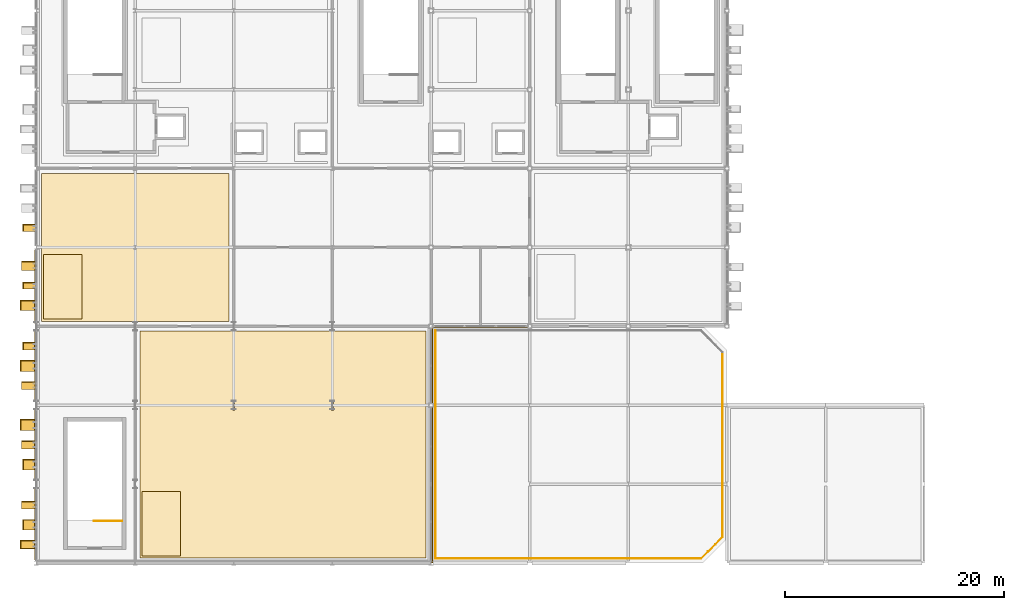
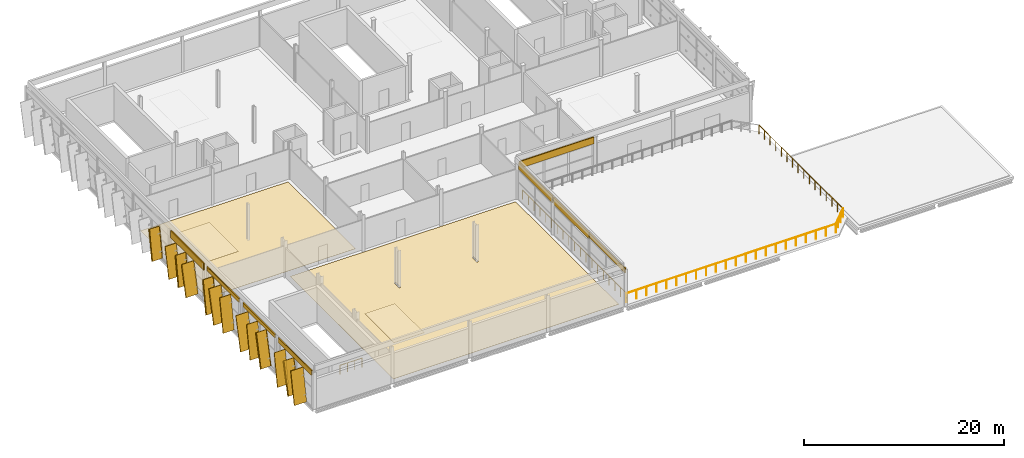
# One storey, part 50 of 52: 25 coverings, 13 shading devices, 5 railings.
"""IFC4 building model written with IfcOpenShell, lengths in metres."""

from ifc_helpers import new_model, si_unit, direction, frame, origin, origin_2d, place, context, subcontext, project, spatial, polyline, rectangle, circle, outline, extrude, material, layer, layer_set, material_profile, profile_set, type_object, element, save


model = new_model("IFC4")

# Units and contexts
model_context = context("Model", 3, precision=1e-05, world=origin(), true_north=direction((0.0, 1.0)))
body_context = subcontext(model_context, "Body", "Model", "MODEL_VIEW")
ifc_project = project(units=[si_unit("LENGTHUNIT", "METRE"), si_unit("AREAUNIT", "SQUARE_METRE"), si_unit("VOLUMEUNIT", "CUBIC_METRE"), si_unit("PLANEANGLEUNIT", "RADIAN"), si_unit("MASSUNIT", "GRAM", prefix="KILO")], contexts=[model_context])

# Site, building, storey
site_placement = place(None, origin())
site = spatial("IfcSite", under=ifc_project, at=site_placement, CompositionType="ELEMENT")
building_placement = place(site_placement, origin())
building = spatial("IfcBuilding", under=site, at=building_placement, Name="Celestram Park Convention Centre", CompositionType="ELEMENT")
storey_placement = place(building_placement, frame((0.0, 0.0, 24.300048828125)))
storey = spatial("IfcBuildingStorey", under=building, at=storey_placement, Name="L05", CompositionType="ELEMENT", Elevation=24.300048828125)

# Coverings
ifc_material_1 = material(Name="Anodised Bronze Aluminium Spandrel Cladding", Category="aluminium")
ifc_layer_1 = layer(ifc_material_1, 0.050048828125)
ifc_layer_set_1 = layer_set([ifc_layer_1], Name="Anodised Bronze Aluminium Spandrel Cladding")
covering_type_1 = type_object("IfcCoveringType", Name="ARC-COV-CLD060", PredefinedType="CLADDING", material=ifc_layer_set_1)
covering_1_placement = place(storey_placement, frame((35.919921875, 111.60009765625, 3.923828125), z_axis=(0.0, 0.0, 1.0), x_axis=(0.0, 1.0, 0.0)))
element("IfcCovering", 1, at=covering_1_placement, inside=storey, type_object=covering_type_1, Name="Bronze spandrel cladding CL-L05-243", PredefinedType="CLADDING", context=body_context, shape_type="SweptSolid", body=[
    extrude(rectangle(XDim=6.631591796875, YDim=0.1201171875, at=origin_2d()), origin(), (0.0, 0.0, 1.0), 0.575927734375),
])
for number, where, z_axis, x_axis, name in (
    (2, (35.919921875, 118.800048828125, 4.02978515625), (0.0, 0.0, 1.0), (0.0, 1.0, 0.0), "Bronze spandrel cladding CL-L05-244"),
    (3, (35.919921875, 126.0, 4.02978515625), (0.0, 0.0, 1.0), (0.0, 1.0, 0.0), "Bronze spandrel cladding CL-L05-245"),
):
    element("IfcCovering", number, at=place(storey_placement, frame(where, z_axis=z_axis, x_axis=x_axis)), inside=storey, type_object=covering_type_1, Name=name, PredefinedType="CLADDING", context=body_context, shape_type="SweptSolid", body=[
        extrude(rectangle(XDim=6.431884765625, YDim=0.1201171875, at=origin_2d()), origin(), (0.0, 0.0, 1.0), 0.469970703125),
    ])
covering_2_placement = place(storey_placement, frame((35.919921875, 133.199951171875, 3.66796875), z_axis=(0.0, 0.0, 1.0), x_axis=(0.0, 1.0, 0.0)))
element("IfcCovering", 4, at=covering_2_placement, inside=storey, type_object=covering_type_1, Name="Bronze spandrel cladding CL-L05-246", PredefinedType="CLADDING", context=body_context, shape_type="SweptSolid", body=[
    extrude(rectangle(XDim=6.66455078125, YDim=0.1201171875, at=origin_2d()), origin(), (0.0, 0.0, 1.0), 0.83203125),
])
covering_3_placement = place(storey_placement, frame((76.5, 129.52001953125, 3.66796875), z_axis=(0.0, 0.0, 1.0), x_axis=(-1.0, 0.0, 0.0)))
element("IfcCovering", 5, at=covering_3_placement, inside=storey, type_object=covering_type_1, Name="Bronze spandrel cladding CL-L05-256", PredefinedType="CLADDING", context=body_context, shape_type="SweptSolid", body=[
    extrude(rectangle(XDim=8.60205078125, YDim=0.1201171875, at=origin_2d()), origin(), (0.0, 0.0, 1.0), 0.83203125),
])
covering_4_placement = place(storey_placement, frame((72.080078125, 126.0, 3.66796875), z_axis=(0.0, 0.0, 1.0), x_axis=(0.0, -1.0, 0.0)))
element("IfcCovering", 6, at=covering_4_placement, inside=storey, type_object=covering_type_1, Name="Bronze spandrel cladding CL-L05-257", PredefinedType="CLADDING", context=body_context, shape_type="SweptSolid", body=[
    extrude(rectangle(XDim=6.802001953125, YDim=0.1201171875, at=origin_2d()), origin(), (0.0, 0.0, 1.0), 0.83203125),
])
covering_5_placement = place(storey_placement, frame((72.080078125, 118.800048828125, 3.66796875), z_axis=(0.0, 0.0, 1.0), x_axis=(0.0, -1.0, 0.0)))
element("IfcCovering", 7, at=covering_5_placement, inside=storey, type_object=covering_type_1, Name="Bronze spandrel cladding CL-L05-258", PredefinedType="CLADDING", context=body_context, shape_type="SweptSolid", body=[
    extrude(rectangle(XDim=7.131103515625, YDim=0.1201171875, at=origin_2d()), origin(), (0.0, 0.0, 1.0), 0.83203125),
])
covering_6_placement = place(storey_placement, frame((72.080078125, 111.60009765625, 3.923828125), z_axis=(0.0, 0.0, 1.0), x_axis=(0.0, -1.0, 0.0)))
element("IfcCovering", 8, at=covering_6_placement, inside=storey, type_object=covering_type_1, Name="Bronze spandrel cladding CL-L05-259", PredefinedType="CLADDING", context=body_context, shape_type="SweptSolid", body=[
    extrude(rectangle(XDim=7.1455078125, YDim=0.1201171875, at=origin_2d()), origin(), (0.0, 0.0, 1.0), 0.575927734375),
])
ifc_material_2 = material(Name="Perforated Acoustic Mineral-Fibre Baffle Ceiling", Category="gypsum")
ifc_layer_2 = layer(ifc_material_2, 0.0400390625)
ifc_layer_set_2 = layer_set([ifc_layer_2], Name="Perforated Acoustic Mineral-Fibre Baffle Ceiling")
covering_type_2 = type_object("IfcCoveringType", Name="ARC-COV-CLG040", PredefinedType="CEILING", material=ifc_layer_set_2)
covering_7_placement = place(storey_placement, frame((0.0, 0.0, 4.219970703125)))
element("IfcCovering", 9, at=covering_7_placement, inside=storey, type_object=covering_type_2, Name="Crown Speaker Lounge acoustic baffle ceiling", PredefinedType="CEILING", context=body_context, shape_type="SweptSolid", body=[
    extrude(outline(polyline([(45.64990234375, 108.64990234375), (49.14990234375, 108.64990234375), (49.14990234375, 114.550048828125), (45.64990234375, 114.550048828125), (45.64990234375, 108.64990234375)])), origin(), (0.0, 0.0, 1.0), 0.0400390625),
])
covering_8_placement = place(storey_placement, frame((0.0, 0.0, 4.219970703125)))
element("IfcCovering", 10, at=covering_8_placement, inside=storey, type_object=covering_type_2, Name="Lake Michigan Horizon Dining Salon acoustic baffle ceiling", PredefinedType="CEILING", context=body_context, shape_type="SweptSolid", body=[
    extrude(outline(polyline([(36.64990234375, 130.25), (40.14990234375, 130.25), (40.14990234375, 136.14990234375), (36.64990234375, 136.14990234375), (36.64990234375, 130.25)])), origin(), (0.0, 0.0, 1.0), 0.0400390625),
])
ifc_material_3 = material(Name="Timber-Toned Anodised Aluminium Alloy 6063-T6", Category="wood")
ifc_material_profile_1 = material_profile(ifc_material_3, rectangle(XDim=1.1201171875, YDim=0.090087890625, at=origin_2d()), Name="REED1120X90")
ifc_profile_set_1 = profile_set([ifc_material_profile_1], Name="Timber-Toned Anodised Aluminium Alloy 6063-T6")
covering_type_3 = type_object("IfcCoveringType", Name="ARC-COV-FIN1120", PredefinedType="CLADDING", material=ifc_profile_set_1)
covering_9_placement = place(storey_placement, frame((35.360107421875, 111.049072265625, 0.057861328125), z_axis=(0.0, 0.231722237908, 0.972781992257), x_axis=(-1.0, 0.0, 0.0)))
element("IfcCovering", 11, at=covering_9_placement, inside=storey, type_object=covering_type_3, Name="Leaning timber-toned reed fin RFN-L05-0760", PredefinedType="CLADDING", context=body_context, shape_type="SweptSolid", body=[
    extrude(rectangle(XDim=1.1201171875, YDim=0.090087890625, at=origin_2d()), origin(), (0.0, 0.0, 1.0), 3.89404296875),
])
for number, where, z_axis, x_axis, name in (
    (12, (35.360107421875, 116.53662109375, 0.059326171875), (0.0, 0.231692040774, 0.972789184892), (-1.0, 0.0, 0.0), "Leaning timber-toned reed fin RFN-L05-0762"),
    (13, (35.360107421875, 127.480224609375, 0.03076171875), (0.0, 0.159913636523, 0.987131008962), (-1.0, 0.0, 0.0), "Leaning timber-toned reed fin RFN-L05-0767"),
):
    element("IfcCovering", number, at=place(storey_placement, frame(where, z_axis=z_axis, x_axis=x_axis)), inside=storey, type_object=covering_type_3, Name=name, PredefinedType="CLADDING", context=body_context, shape_type="SweptSolid", body=[
        extrude(rectangle(XDim=1.1201171875, YDim=0.090087890625, at=origin_2d()), origin(), (0.0, 0.0, 1.0), 4.0),
    ])
for number, where, z_axis, x_axis, name in (
    (14, (35.360107421875, 133.025390625, 0.0283203125), (0.0, 0.159913875069, 0.987130970318), (-1.0, 0.0, 0.0), "Leaning timber-toned reed fin RFN-L05-0769"),
    (15, (35.360107421875, 138.30908203125, 0.0283203125), (0.0, 0.159913875069, 0.987130970318), (-1.0, 0.0, 0.0), "Leaning timber-toned reed fin RFN-L05-0771"),
):
    element("IfcCovering", number, at=place(storey_placement, frame(where, z_axis=z_axis, x_axis=x_axis)), inside=storey, type_object=covering_type_3, Name=name, PredefinedType="CLADDING", context=body_context, shape_type="SweptSolid", body=[
        extrude(rectangle(XDim=1.1201171875, YDim=0.090087890625, at=origin_2d()), origin(), (0.0, 0.0, 1.0), 3.63818359375),
    ])
ifc_material_profile_2 = material_profile(ifc_material_3, rectangle(XDim=1.280029296875, YDim=0.090087890625, at=origin_2d()), Name="REED1280X90")
ifc_profile_set_2 = profile_set([ifc_material_profile_2], Name="Timber-Toned Anodised Aluminium Alloy 6063-T6")
covering_type_4 = type_object("IfcCoveringType", Name="ARC-COV-FIN1280", PredefinedType="CLADDING", material=ifc_profile_set_2)
covering_10_placement = place(storey_placement, frame((35.280029296875, 112.968994140625, 0.033447265625), z_axis=(0.0, 0.170160958731, 0.985416281641), x_axis=(-1.0, 0.0, 0.0)))
element("IfcCovering", 16, at=covering_10_placement, inside=storey, type_object=covering_type_4, Name="Leaning timber-toned reed fin RFN-L05-0761", PredefinedType="CLADDING", context=body_context, shape_type="SweptSolid", body=[
    extrude(rectangle(XDim=1.280029296875, YDim=0.090087890625, at=origin_2d()), origin(), (0.0, 0.0, 1.0), 3.89404296875),
])
for number, where, z_axis, x_axis, name in (
    (17, (35.280029296875, 118.459716796875, 0.0341796875), (0.0, 0.170166486945, 0.985415327017), (-1.0, 0.0, 0.0), "Leaning timber-toned reed fin RFN-L05-0763"),
    (18, (35.280029296875, 123.859619140625, 0.0341796875), (0.0, 0.170166486945, 0.985415327017), (-1.0, 0.0, 0.0), "Leaning timber-toned reed fin RFN-L05-0765"),
):
    element("IfcCovering", number, at=place(storey_placement, frame(where, z_axis=z_axis, x_axis=x_axis)), inside=storey, type_object=covering_type_4, Name=name, PredefinedType="CLADDING", context=body_context, shape_type="SweptSolid", body=[
        extrude(rectangle(XDim=1.280029296875, YDim=0.090087890625, at=origin_2d()), origin(), (0.0, 0.0, 1.0), 4.0),
    ])
covering_11_placement = place(storey_placement, frame((35.280029296875, 134.735107421875, 0.04541015625), z_axis=(0.0, 0.209584085746, 0.977790627385), x_axis=(-1.0, 0.0, 0.0)))
element("IfcCovering", 19, at=covering_11_placement, inside=storey, type_object=covering_type_4, Name="Leaning timber-toned reed fin RFN-L05-0770", PredefinedType="CLADDING", context=body_context, shape_type="SweptSolid", body=[
    extrude(rectangle(XDim=1.280029296875, YDim=0.090087890625, at=origin_2d()), origin(), (0.0, 0.0, 1.0), 3.637939453125),
])
ifc_material_profile_3 = material_profile(ifc_material_3, rectangle(XDim=1.419921875, YDim=0.090087890625, at=origin_2d()), Name="REED1420X90")
ifc_profile_set_3 = profile_set([ifc_material_profile_3], Name="Timber-Toned Anodised Aluminium Alloy 6063-T6")
covering_type_5 = type_object("IfcCoveringType", Name="ARC-COV-FIN1420", PredefinedType="CLADDING", material=ifc_profile_set_3)
covering_12_placement = place(storey_placement, frame((35.2099609375, 109.348876953125, 0.036865234375), z_axis=(0.0, 0.180501750098, 0.983574663262), x_axis=(-1.0, 0.0, 0.0)))
element("IfcCovering", 20, at=covering_12_placement, inside=storey, type_object=covering_type_5, Name="Leaning timber-toned reed fin RFN-L05-0759", PredefinedType="CLADDING", context=body_context, shape_type="SweptSolid", body=[
    extrude(rectangle(XDim=1.419921875, YDim=0.090087890625, at=origin_2d()), origin(), (0.0, 0.0, 1.0), 3.89404296875),
])
for number, where, z_axis, x_axis, name in (
    (21, (35.2099609375, 120.122802734375, 0.062744140625), (0.0, 0.238584316678, 0.971121786305), (-1.0, 0.0, 0.0), "Leaning timber-toned reed fin RFN-L05-0764"),
    (22, (35.2099609375, 125.52294921875, 0.062744140625), (0.0, 0.238526755046, 0.971135926185), (-1.0, 0.0, 0.0), "Leaning timber-toned reed fin RFN-L05-0766"),
):
    element("IfcCovering", number, at=place(storey_placement, frame(where, z_axis=z_axis, x_axis=x_axis)), inside=storey, type_object=covering_type_5, Name=name, PredefinedType="CLADDING", context=body_context, shape_type="SweptSolid", body=[
        extrude(rectangle(XDim=1.419921875, YDim=0.090087890625, at=origin_2d()), origin(), (0.0, 0.0, 1.0), 4.0),
    ])
covering_13_placement = place(storey_placement, frame((35.2099609375, 131.08251953125, 0.057373046875), z_axis=(0.0, 0.23850696927, 0.971140785679), x_axis=(-1.0, 0.0, 0.0)))
element("IfcCovering", 23, at=covering_13_placement, inside=storey, type_object=covering_type_5, Name="Leaning timber-toned reed fin RFN-L05-0768", PredefinedType="CLADDING", context=body_context, shape_type="SweptSolid", body=[
    extrude(rectangle(XDim=1.419921875, YDim=0.090087890625, at=origin_2d()), origin(), (0.0, 0.0, 1.0), 3.637939453125),
])
ifc_material_4 = material(Name="Polished Lakefront Aggregate Terrazzo Flooring", Category="concrete")
ifc_layer_3 = layer(ifc_material_4, 0.02001953125)
ifc_layer_set_3 = layer_set([ifc_layer_3], Name="Polished Lakefront Aggregate Terrazzo Flooring")
covering_type_6 = type_object("IfcCoveringType", Name="ARC-COV-FLR020", PredefinedType="FLOORING", material=ifc_layer_set_3)
covering_14_placement = place(storey_placement, origin())
element("IfcCovering", 24, at=covering_14_placement, inside=storey, type_object=covering_type_6, Name="Crown Speaker Lounge terrazzo flooring", PredefinedType="FLOORING", context=body_context, shape_type="SweptSolid", body=[
    extrude(outline(polyline([(53.913818359375, 129.14990234375), (53.913818359375, 129.135986328125), (54.086181640625, 129.135986328125), (54.086181640625, 129.14990234375), (62.913818359375, 129.14990234375), (62.913818359375, 129.135986328125), (63.086181640625, 129.135986328125), (63.086181640625, 129.14990234375), (71.550048828125, 129.14990234375), (71.550048828125, 108.449951171875), (45.449951171875, 108.449951171875), (45.449951171875, 129.14990234375), (53.913818359375, 129.14990234375)]), holes=[polyline([(53.913818359375, 121.93603515625), (54.086181640625, 121.93603515625), (54.086181640625, 122.864013671875), (53.913818359375, 122.864013671875), (53.913818359375, 121.93603515625)]), polyline([(62.913818359375, 121.93603515625), (63.086181640625, 121.93603515625), (63.086181640625, 122.864013671875), (62.913818359375, 122.864013671875), (62.913818359375, 121.93603515625)])]), origin(), (0.0, 0.0, 1.0), 0.02001953125),
])
covering_15_placement = place(storey_placement, origin())
element("IfcCovering", 25, at=covering_15_placement, inside=storey, type_object=covering_type_6, Name="Lake Michigan Horizon Dining Salon terrazzo flooring", PredefinedType="FLOORING", context=body_context, shape_type="SweptSolid", body=[
    extrude(outline(polyline([(53.550048828125, 143.550048828125), (53.550048828125, 130.050048828125), (45.086181640625, 130.050048828125), (45.086181640625, 130.06396484375), (44.913818359375, 130.06396484375), (44.913818359375, 130.050048828125), (36.449951171875, 130.050048828125), (36.449951171875, 143.550048828125), (53.550048828125, 143.550048828125)])), origin(), (0.0, 0.0, 1.0), 0.02001953125),
])

# Shading devices
ifc_material_5 = material(Name="Anodised Bronze Aluminium Alloy 6063-T6", Category="aluminium")
ifc_material_profile_4 = material_profile(ifc_material_5, rectangle(XDim=1.280029296875, YDim=0.080078125, at=origin_2d()), Name="FIN1280X80")
ifc_profile_set_4 = profile_set([ifc_material_profile_4], Name="Anodised Bronze Aluminium Alloy 6063-T6")
shading_device_type = type_object("IfcShadingDeviceType", Name="ARC-FIN-BZ1280", PredefinedType="USERDEFINED", material=ifc_profile_set_4)
for number, where, z_axis, x_axis, name in (
    (26, (35.2099609375, 109.348876953125, 0.036865234375), (0.0, 0.180501750098, 0.983574663262), (-1.0, 0.0, 0.0), "Expressive solar fin FN-L05-0759"),
    (27, (35.360107421875, 111.049072265625, 0.057861328125), (0.0, 0.231722237908, 0.972781992257), (-1.0, 0.0, 0.0), "Expressive solar fin FN-L05-0760"),
    (28, (35.280029296875, 112.968994140625, 0.033447265625), (0.0, 0.170160958731, 0.985416281641), (-1.0, 0.0, 0.0), "Expressive solar fin FN-L05-0761"),
):
    element("IfcShadingDevice", number, at=place(storey_placement, frame(where, z_axis=z_axis, x_axis=x_axis)), inside=storey, type_object=shading_device_type, Name=name, ObjectType="SOLAR_FIN", PredefinedType="USERDEFINED", context=body_context, shape_type="SweptSolid", body=[
        extrude(rectangle(XDim=1.280029296875, YDim=0.080078125, at=origin_2d()), origin(), (0.0, 0.0, 1.0), 3.89404296875),
    ])
for number, where, z_axis, x_axis, name in (
    (29, (35.360107421875, 116.53662109375, 0.059326171875), (0.0, 0.231692040774, 0.972789184892), (-1.0, 0.0, 0.0), "Expressive solar fin FN-L05-0762"),
    (30, (35.280029296875, 118.459716796875, 0.0341796875), (0.0, 0.170166486945, 0.985415327017), (-1.0, 0.0, 0.0), "Expressive solar fin FN-L05-0763"),
    (31, (35.2099609375, 120.122802734375, 0.062744140625), (0.0, 0.238584316678, 0.971121786305), (-1.0, 0.0, 0.0), "Expressive solar fin FN-L05-0764"),
    (32, (35.280029296875, 123.859619140625, 0.0341796875), (0.0, 0.170166486945, 0.985415327017), (-1.0, 0.0, 0.0), "Expressive solar fin FN-L05-0765"),
    (33, (35.2099609375, 125.52294921875, 0.062744140625), (0.0, 0.238526755046, 0.971135926185), (-1.0, 0.0, 0.0), "Expressive solar fin FN-L05-0766"),
    (34, (35.360107421875, 127.480224609375, 0.03076171875), (0.0, 0.159913636523, 0.987131008962), (-1.0, 0.0, 0.0), "Expressive solar fin FN-L05-0767"),
):
    element("IfcShadingDevice", number, at=place(storey_placement, frame(where, z_axis=z_axis, x_axis=x_axis)), inside=storey, type_object=shading_device_type, Name=name, ObjectType="SOLAR_FIN", PredefinedType="USERDEFINED", context=body_context, shape_type="SweptSolid", body=[
        extrude(rectangle(XDim=1.280029296875, YDim=0.080078125, at=origin_2d()), origin(), (0.0, 0.0, 1.0), 4.0),
    ])
shading_device_1_placement = place(storey_placement, frame((35.2099609375, 131.08251953125, 0.057373046875), z_axis=(0.0, 0.23850696927, 0.971140785679), x_axis=(-1.0, 0.0, 0.0)))
element("IfcShadingDevice", 35, at=shading_device_1_placement, inside=storey, type_object=shading_device_type, Name="Expressive solar fin FN-L05-0768", ObjectType="SOLAR_FIN", PredefinedType="USERDEFINED", context=body_context, shape_type="SweptSolid", body=[
    extrude(rectangle(XDim=1.280029296875, YDim=0.080078125, at=origin_2d()), origin(), (0.0, 0.0, 1.0), 3.637939453125),
])
shading_device_2_placement = place(storey_placement, frame((35.360107421875, 133.025390625, 0.0283203125), z_axis=(0.0, 0.159913875069, 0.987130970318), x_axis=(-1.0, 0.0, 0.0)))
element("IfcShadingDevice", 36, at=shading_device_2_placement, inside=storey, type_object=shading_device_type, Name="Expressive solar fin FN-L05-0769", ObjectType="SOLAR_FIN", PredefinedType="USERDEFINED", context=body_context, shape_type="SweptSolid", body=[
    extrude(rectangle(XDim=1.280029296875, YDim=0.080078125, at=origin_2d()), origin(), (0.0, 0.0, 1.0), 3.63818359375),
])
shading_device_3_placement = place(storey_placement, frame((35.280029296875, 134.735107421875, 0.04541015625), z_axis=(0.0, 0.209584085746, 0.977790627385), x_axis=(-1.0, 0.0, 0.0)))
element("IfcShadingDevice", 37, at=shading_device_3_placement, inside=storey, type_object=shading_device_type, Name="Expressive solar fin FN-L05-0770", ObjectType="SOLAR_FIN", PredefinedType="USERDEFINED", context=body_context, shape_type="SweptSolid", body=[
    extrude(rectangle(XDim=1.280029296875, YDim=0.080078125, at=origin_2d()), origin(), (0.0, 0.0, 1.0), 3.637939453125),
])
shading_device_4_placement = place(storey_placement, frame((35.360107421875, 138.30908203125, 0.0283203125), z_axis=(0.0, 0.159913875069, 0.987130970318), x_axis=(-1.0, 0.0, 0.0)))
element("IfcShadingDevice", 38, at=shading_device_4_placement, inside=storey, type_object=shading_device_type, Name="Expressive solar fin FN-L05-0771", ObjectType="SOLAR_FIN", PredefinedType="USERDEFINED", context=body_context, shape_type="SweptSolid", body=[
    extrude(rectangle(XDim=1.280029296875, YDim=0.080078125, at=origin_2d()), origin(), (0.0, 0.0, 1.0), 3.63818359375),
])

# Railings
ifc_material_6 = material(Name="Stainless Steel AISI 316L & Laminated Glass", Category="steel")
ifc_layer_4 = layer(ifc_material_6, 0.06005859375)
ifc_layer_set_4 = layer_set([ifc_layer_4], Name="Stainless Steel AISI 316L & Laminated Glass")
railing_type = type_object("IfcRailingType", Name="ARC-RL-GRD1120", PredefinedType="GUARDRAIL", material=ifc_layer_set_4)
railing_1_placement = place(storey_placement, frame((72.39990234375, 108.39990234375, 0.0)))
element("IfcRailing", 39, at=railing_1_placement, inside=storey, type_object=railing_type, Name="Terrace perimeter safety guard RL-L05-TG013", PredefinedType="GUARDRAIL", context=body_context, shape_type="SweptSolid", body=[
    extrude(circle(Radius=0.02392578125, at=origin_2d()), frame((0.0, 0.0, 1.09619140625), z_axis=(0.0, 1.0, 0.0), x_axis=(-1.0, 0.0, 0.0)), (0.0, 0.0, 1.0), 20.800048828125),
    extrude(circle(Radius=0.02099609375, at=origin_2d()), origin(), (0.0, 0.0, 1.0), 1.072021484375),
    extrude(circle(Radius=0.02099609375, at=origin_2d()), frame((0.0, 1.155517578125, 0.0)), (0.0, 0.0, 1.0), 1.072021484375),
    extrude(circle(Radius=0.02099609375, at=origin_2d()), frame((0.0, 2.31103515625, 0.0)), (0.0, 0.0, 1.0), 1.072021484375),
    extrude(circle(Radius=0.02099609375, at=origin_2d()), frame((0.0, 3.466796875, 0.0)), (0.0, 0.0, 1.0), 1.072021484375),
    extrude(circle(Radius=0.02099609375, at=origin_2d()), frame((0.0, 4.622314453125, 0.0)), (0.0, 0.0, 1.0), 1.072021484375),
    extrude(circle(Radius=0.02099609375, at=origin_2d()), frame((0.0, 5.77783203125, 0.0)), (0.0, 0.0, 1.0), 1.072021484375),
    extrude(circle(Radius=0.02099609375, at=origin_2d()), frame((0.0, 6.933349609375, 0.0)), (0.0, 0.0, 1.0), 1.072021484375),
    extrude(circle(Radius=0.02099609375, at=origin_2d()), frame((0.0, 8.0888671875, 0.0)), (0.0, 0.0, 1.0), 1.072021484375),
    extrude(circle(Radius=0.02099609375, at=origin_2d()), frame((0.0, 9.244384765625, 0.0)), (0.0, 0.0, 1.0), 1.072021484375),
    extrude(circle(Radius=0.02099609375, at=origin_2d()), frame((0.0, 10.39990234375, 0.0)), (0.0, 0.0, 1.0), 1.072021484375),
    extrude(circle(Radius=0.02099609375, at=origin_2d()), frame((0.0, 11.5556640625, 0.0)), (0.0, 0.0, 1.0), 1.072021484375),
    extrude(circle(Radius=0.02099609375, at=origin_2d()), frame((0.0, 12.711181640625, 0.0)), (0.0, 0.0, 1.0), 1.072021484375),
    extrude(circle(Radius=0.02099609375, at=origin_2d()), frame((0.0, 13.86669921875, 0.0)), (0.0, 0.0, 1.0), 1.072021484375),
    extrude(circle(Radius=0.02099609375, at=origin_2d()), frame((0.0, 15.022216796875, 0.0)), (0.0, 0.0, 1.0), 1.072021484375),
    extrude(circle(Radius=0.02099609375, at=origin_2d()), frame((0.0, 16.177734375, 0.0)), (0.0, 0.0, 1.0), 1.072021484375),
    extrude(circle(Radius=0.02099609375, at=origin_2d()), frame((0.0, 17.33349609375, 0.0)), (0.0, 0.0, 1.0), 1.072021484375),
    extrude(circle(Radius=0.02099609375, at=origin_2d()), frame((0.0, 18.489013671875, 0.0)), (0.0, 0.0, 1.0), 1.072021484375),
    extrude(circle(Radius=0.02099609375, at=origin_2d()), frame((0.0, 19.64453125, 0.0)), (0.0, 0.0, 1.0), 1.072021484375),
    extrude(circle(Radius=0.02099609375, at=origin_2d()), frame((0.0, 20.800048828125, 0.0)), (0.0, 0.0, 1.0), 1.072021484375),
])
railing_2_placement = place(storey_placement, frame((98.60009765625, 127.234375, 0.0)))
element("IfcRailing", 40, at=railing_2_placement, inside=storey, type_object=railing_type, Name="Terrace perimeter safety guard RL-L05-TG016", PredefinedType="GUARDRAIL", context=body_context, shape_type="SweptSolid", body=[
    extrude(circle(Radius=0.02392578125, at=origin_2d()), frame((0.0, 0.0, 1.09619140625), z_axis=(0.0, -1.0, 0.0), x_axis=(1.0, 0.0, 0.0)), (0.0, 0.0, 1.0), 16.86865234375),
    extrude(circle(Radius=0.02099609375, at=origin_2d()), origin(), (0.0, 0.0, 1.0), 1.072021484375),
    extrude(circle(Radius=0.02099609375, at=origin_2d()), frame((0.0, -1.12451171875, 0.0)), (0.0, 0.0, 1.0), 1.072021484375),
    extrude(circle(Radius=0.02099609375, at=origin_2d()), frame((0.0, -2.249267578125, 0.0)), (0.0, 0.0, 1.0), 1.072021484375),
    extrude(circle(Radius=0.02099609375, at=origin_2d()), frame((0.0, -3.373779296875, 0.0)), (0.0, 0.0, 1.0), 1.072021484375),
    extrude(circle(Radius=0.02099609375, at=origin_2d()), frame((0.0, -4.498291015625, 0.0)), (0.0, 0.0, 1.0), 1.072021484375),
    extrude(circle(Radius=0.02099609375, at=origin_2d()), frame((0.0, -5.622802734375, 0.0)), (0.0, 0.0, 1.0), 1.072021484375),
    extrude(circle(Radius=0.02099609375, at=origin_2d()), frame((0.0, -6.74755859375, 0.0)), (0.0, 0.0, 1.0), 1.072021484375),
    extrude(circle(Radius=0.02099609375, at=origin_2d()), frame((0.0, -7.8720703125, 0.0)), (0.0, 0.0, 1.0), 1.072021484375),
    extrude(circle(Radius=0.02099609375, at=origin_2d()), frame((0.0, -8.99658203125, 0.0)), (0.0, 0.0, 1.0), 1.072021484375),
    extrude(circle(Radius=0.02099609375, at=origin_2d()), frame((0.0, -10.12109375, 0.0)), (0.0, 0.0, 1.0), 1.072021484375),
    extrude(circle(Radius=0.02099609375, at=origin_2d()), frame((0.0, -11.245849609375, 0.0)), (0.0, 0.0, 1.0), 1.072021484375),
    extrude(circle(Radius=0.02099609375, at=origin_2d()), frame((0.0, -12.370361328125, 0.0)), (0.0, 0.0, 1.0), 1.072021484375),
    extrude(circle(Radius=0.02099609375, at=origin_2d()), frame((0.0, -13.494873046875, 0.0)), (0.0, 0.0, 1.0), 1.072021484375),
    extrude(circle(Radius=0.02099609375, at=origin_2d()), frame((0.0, -14.619384765625, 0.0)), (0.0, 0.0, 1.0), 1.072021484375),
    extrude(circle(Radius=0.02099609375, at=origin_2d()), frame((0.0, -15.744140625, 0.0)), (0.0, 0.0, 1.0), 1.072021484375),
    extrude(circle(Radius=0.02099609375, at=origin_2d()), frame((0.0, -16.86865234375, 0.0)), (0.0, 0.0, 1.0), 1.072021484375),
])
railing_3_placement = place(storey_placement, frame((98.60009765625, 110.36572265625, 0.0)))
element("IfcRailing", 41, at=railing_3_placement, inside=storey, type_object=railing_type, Name="Terrace perimeter safety guard RL-L05-TG017", PredefinedType="GUARDRAIL", context=body_context, shape_type="SweptSolid", body=[
    extrude(circle(Radius=0.02392578125, at=origin_2d()), frame((0.0, 0.0, 1.09619140625), z_axis=(-0.707106781187, -0.707106781187, 0.0), x_axis=(0.707106781187, -0.707106781187, 0.0)), (0.0, 0.0, 1.0), 2.780029296875),
    extrude(circle(Radius=0.02099609375, at=origin_2d()), origin(), (0.0, 0.0, 1.0), 1.072021484375),
    extrude(circle(Radius=0.02099609375, at=origin_2d()), frame((-0.6552734375, -0.6552734375, 0.0)), (0.0, 0.0, 1.0), 1.072021484375),
    extrude(circle(Radius=0.02099609375, at=origin_2d()), frame((-1.310546875, -1.310546875, 0.0)), (0.0, 0.0, 1.0), 1.072021484375),
    extrude(circle(Radius=0.02099609375, at=origin_2d()), frame((-1.9658203125, -1.9658203125, 0.0)), (0.0, 0.0, 1.0), 1.072021484375),
])
railing_4_placement = place(storey_placement, frame((96.63427734375, 108.39990234375, 0.0)))
element("IfcRailing", 42, at=railing_4_placement, inside=storey, type_object=railing_type, Name="Terrace perimeter safety guard RL-L05-TG018", PredefinedType="GUARDRAIL", context=body_context, shape_type="SweptSolid", body=[
    extrude(circle(Radius=0.02392578125, at=origin_2d()), frame((0.0, 0.0, 1.09619140625), z_axis=(-1.0, 0.0, 0.0), x_axis=(0.0, -1.0, 0.0)), (0.0, 0.0, 1.0), 24.234375),
    extrude(circle(Radius=0.02099609375, at=origin_2d()), origin(), (0.0, 0.0, 1.0), 1.072021484375),
    extrude(circle(Radius=0.02099609375, at=origin_2d()), frame((-1.154052734375, 0.0, 0.0)), (0.0, 0.0, 1.0), 1.072021484375),
    extrude(circle(Radius=0.02099609375, at=origin_2d()), frame((-2.30810546875, 0.0, 0.0)), (0.0, 0.0, 1.0), 1.072021484375),
    extrude(circle(Radius=0.02099609375, at=origin_2d()), frame((-3.462158203125, 0.0, 0.0)), (0.0, 0.0, 1.0), 1.072021484375),
    extrude(circle(Radius=0.02099609375, at=origin_2d()), frame((-4.615966796875, 0.0, 0.0)), (0.0, 0.0, 1.0), 1.072021484375),
    extrude(circle(Radius=0.02099609375, at=origin_2d()), frame((-5.77001953125, 0.0, 0.0)), (0.0, 0.0, 1.0), 1.072021484375),
    extrude(circle(Radius=0.02099609375, at=origin_2d()), frame((-6.924072265625, 0.0, 0.0)), (0.0, 0.0, 1.0), 1.072021484375),
    extrude(circle(Radius=0.02099609375, at=origin_2d()), frame((-8.078125, 0.0, 0.0)), (0.0, 0.0, 1.0), 1.072021484375),
    extrude(circle(Radius=0.02099609375, at=origin_2d()), frame((-9.232177734375, 0.0, 0.0)), (0.0, 0.0, 1.0), 1.072021484375),
    extrude(circle(Radius=0.02099609375, at=origin_2d()), frame((-10.38623046875, 0.0, 0.0)), (0.0, 0.0, 1.0), 1.072021484375),
    extrude(circle(Radius=0.02099609375, at=origin_2d()), frame((-11.540283203125, 0.0, 0.0)), (0.0, 0.0, 1.0), 1.072021484375),
    extrude(circle(Radius=0.02099609375, at=origin_2d()), frame((-12.694091796875, 0.0, 0.0)), (0.0, 0.0, 1.0), 1.072021484375),
    extrude(circle(Radius=0.02099609375, at=origin_2d()), frame((-13.84814453125, 0.0, 0.0)), (0.0, 0.0, 1.0), 1.072021484375),
    extrude(circle(Radius=0.02099609375, at=origin_2d()), frame((-15.002197265625, 0.0, 0.0)), (0.0, 0.0, 1.0), 1.072021484375),
    extrude(circle(Radius=0.02099609375, at=origin_2d()), frame((-16.15625, 0.0, 0.0)), (0.0, 0.0, 1.0), 1.072021484375),
    extrude(circle(Radius=0.02099609375, at=origin_2d()), frame((-17.310302734375, 0.0, 0.0)), (0.0, 0.0, 1.0), 1.072021484375),
    extrude(circle(Radius=0.02099609375, at=origin_2d()), frame((-18.46435546875, 0.0, 0.0)), (0.0, 0.0, 1.0), 1.072021484375),
    extrude(circle(Radius=0.02099609375, at=origin_2d()), frame((-19.618408203125, 0.0, 0.0)), (0.0, 0.0, 1.0), 1.072021484375),
    extrude(circle(Radius=0.02099609375, at=origin_2d()), frame((-20.772216796875, 0.0, 0.0)), (0.0, 0.0, 1.0), 1.072021484375),
    extrude(circle(Radius=0.02099609375, at=origin_2d()), frame((-21.92626953125, 0.0, 0.0)), (0.0, 0.0, 1.0), 1.072021484375),
    extrude(circle(Radius=0.02099609375, at=origin_2d()), frame((-23.080322265625, 0.0, 0.0)), (0.0, 0.0, 1.0), 1.072021484375),
    extrude(circle(Radius=0.02099609375, at=origin_2d()), frame((-24.234375, 0.0, 0.0)), (0.0, 0.0, 1.0), 1.072021484375),
])
railing_5_placement = place(storey_placement, frame((43.800048828125, 111.85009765625, 0.0)))
element("IfcRailing", 43, at=railing_5_placement, inside=storey, type_object=railing_type, Name="L05 ST-13 top well guard 1", PredefinedType="GUARDRAIL", context=body_context, shape_type="SweptSolid", body=[
    extrude(circle(Radius=0.02392578125, at=origin_2d()), frame((0.0, 0.0, 1.09619140625), z_axis=(-1.0, 0.0, 0.0), x_axis=(0.0, -1.0, 0.0)), (0.0, 0.0, 1.0), 2.56005859375),
    extrude(circle(Radius=0.02099609375, at=origin_2d()), origin(), (0.0, 0.0, 1.0), 1.072021484375),
    extrude(circle(Radius=0.02099609375, at=origin_2d()), frame((-0.853271484375, 0.0, 0.0)), (0.0, 0.0, 1.0), 1.072021484375),
    extrude(circle(Radius=0.02099609375, at=origin_2d()), frame((-1.706787109375, 0.0, 0.0)), (0.0, 0.0, 1.0), 1.072021484375),
    extrude(circle(Radius=0.02099609375, at=origin_2d()), frame((-2.56005859375, 0.0, 0.0)), (0.0, 0.0, 1.0), 1.072021484375),
])

save(model, "model.ifc")
